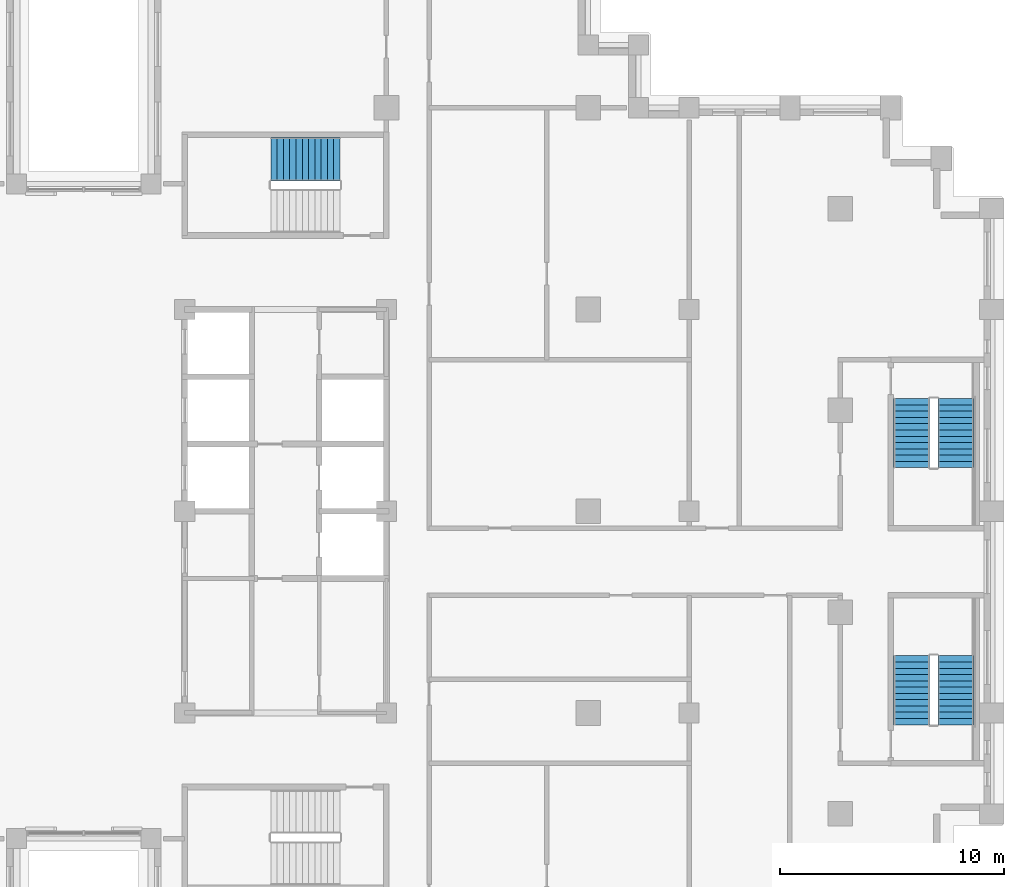
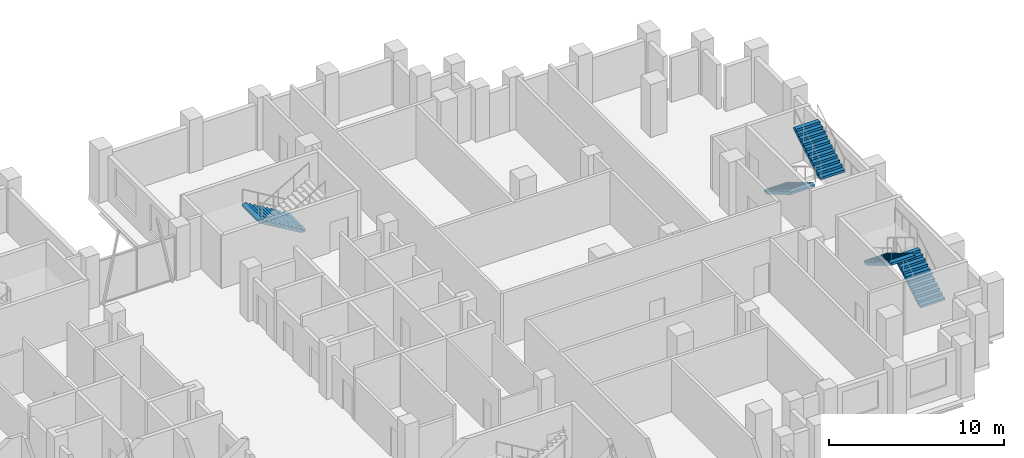
# One storey, part 14 of 16: 5 stair flights, 3 elements without a shape of their own.
"""IFC4 building model written with IfcOpenShell, lengths in metres."""

from ifc_helpers import new_model, si_unit, direction, frame, origin, place, context, subcontext, project, spatial, polyline, outline, extrude, material, type_object, element, aggregate, save


model = new_model("IFC4")

# Units and contexts
model_context = context("Model", 3, precision=1e-05, world=origin(), true_north=direction((0.0, 1.0)))
body_context = subcontext(model_context, "Body", "Model", "MODEL_VIEW")
ifc_project = project(units=[si_unit("LENGTHUNIT", "METRE"), si_unit("AREAUNIT", "SQUARE_METRE"), si_unit("VOLUMEUNIT", "CUBIC_METRE"), si_unit("PLANEANGLEUNIT", "RADIAN"), si_unit("MASSUNIT", "GRAM", prefix="KILO")], contexts=[model_context])

# Site, building, storey
site_placement = place(None, origin())
site = spatial("IfcSite", under=ifc_project, at=site_placement, CompositionType="ELEMENT")
building_placement = place(site_placement, origin())
building = spatial("IfcBuilding", under=site, at=building_placement, Name="Corbelhall Arena Tower", CompositionType="ELEMENT")
storey_placement = place(building_placement, frame((0.0, 0.0, 170.0)))
storey = spatial("IfcBuildingStorey", under=building, at=storey_placement, Name="L34", CompositionType="ELEMENT", Elevation=170.0)

# Stair, stair flight
ifc_material = material(Name="Concrete C40/50", Category="concrete")
stair_type = type_object("IfcStairType", Name="IN-ST-TOWER", PredefinedType="HALF_TURN_STAIR", material=ifc_material)
stair_1_placement = place(storey_placement, origin())
stair_1 = element("IfcStair", 1, at=stair_1_placement, inside=storey, type_object=stair_type, Name="L34 Exit stair ST3", PredefinedType="HALF_TURN_STAIR")
stair_flight_type = type_object("IfcStairFlightType", Name="IN-SFL-RC", PredefinedType="STRAIGHT", material=ifc_material)
stair_flight_1_placement = place(storey_placement, frame((11.425048828125, 15.699951171875, 0.0), z_axis=(0.0, 0.0, 1.0), x_axis=(-1.0, 0.0, 0.0)))
stair_flight_1 = element("IfcStairFlight", 2, at=stair_flight_1_placement, type_object=stair_flight_type, Name="ST3 flight 1", NumberOfRisers=12, NumberOfTreads=11, PredefinedType="STRAIGHT", RiserHeight=0.166666667, TreadLength=0.28, context=body_context, shape_type="SweptSolid", body=[
    extrude(outline(polyline([(0.0, 0.0), (0.0, 0.166748046875), (0.280029296875, 0.166748046875), (0.280029296875, 0.333251953125), (0.56005859375, 0.333251953125), (0.56005859375, 0.5), (0.840087890625, 0.5), (0.840087890625, 0.666748046875), (1.1201171875, 0.666748046875), (1.1201171875, 0.833251953125), (1.39990234375, 0.833251953125), (1.39990234375, 1.0), (1.679931640625, 1.0), (1.679931640625, 1.166748046875), (1.9599609375, 1.166748046875), (1.9599609375, 1.333251953125), (2.239990234375, 1.333251953125), (2.239990234375, 1.5), (2.52001953125, 1.5), (2.52001953125, 1.666748046875), (2.800048828125, 1.666748046875), (2.800048828125, 1.833251953125), (3.080078125, 1.833251953125), (3.080078125, 2.0), (3.080078125, 1.658935546875), (0.29296875, 0.0), (0.0, 0.0)])), frame((0.0, 0.97509765625, 0.0), z_axis=(0.0, -1.0, 0.0), x_axis=(1.0, 0.0, 0.0)), (0.0, 0.0, 1.0), 0.449951171875),
    extrude(outline(polyline([(0.0, 0.0), (0.0, 0.166748046875), (0.280029296875, 0.166748046875), (0.280029296875, 0.333251953125), (0.56005859375, 0.333251953125), (0.56005859375, 0.5), (0.840087890625, 0.5), (0.840087890625, 0.666748046875), (1.1201171875, 0.666748046875), (1.1201171875, 0.833251953125), (1.39990234375, 0.833251953125), (1.39990234375, 1.0), (1.679931640625, 1.0), (1.679931640625, 1.166748046875), (1.9599609375, 1.166748046875), (1.9599609375, 1.333251953125), (2.239990234375, 1.333251953125), (2.239990234375, 1.5), (2.52001953125, 1.5), (2.52001953125, 1.666748046875), (2.800048828125, 1.666748046875), (2.800048828125, 1.833251953125), (3.080078125, 1.833251953125), (3.080078125, 2.0), (3.080078125, 1.658935546875), (0.29296875, 0.0), (0.0, 0.0)])), frame((0.0, 0.52099609375, 0.0), z_axis=(0.0, -1.0, 0.0), x_axis=(1.0, 0.0, 0.0)), (0.0, 0.0, 1.0), 1.0419921875),
    extrude(outline(polyline([(0.0, 0.0), (0.0, 0.166748046875), (0.280029296875, 0.166748046875), (0.280029296875, 0.333251953125), (0.56005859375, 0.333251953125), (0.56005859375, 0.5), (0.840087890625, 0.5), (0.840087890625, 0.666748046875), (1.1201171875, 0.666748046875), (1.1201171875, 0.833251953125), (1.39990234375, 0.833251953125), (1.39990234375, 1.0), (1.679931640625, 1.0), (1.679931640625, 1.166748046875), (1.9599609375, 1.166748046875), (1.9599609375, 1.333251953125), (2.239990234375, 1.333251953125), (2.239990234375, 1.5), (2.52001953125, 1.5), (2.52001953125, 1.666748046875), (2.800048828125, 1.666748046875), (2.800048828125, 1.833251953125), (3.080078125, 1.833251953125), (3.080078125, 2.0), (3.080078125, 1.658935546875), (0.29296875, 0.0), (0.0, 0.0)])), frame((0.0, -0.52490234375, 0.0), z_axis=(0.0, -1.0, 0.0), x_axis=(1.0, 0.0, 0.0)), (0.0, 0.0, 1.0), 0.449951171875),
])
aggregate(stair_1, [stair_flight_1])

# Stair, stair flights
stair_2_placement = place(storey_placement, origin())
stair_2 = element("IfcStair", 3, at=stair_2_placement, inside=storey, type_object=stair_type, Name="L34 Exit stair SD1", PredefinedType="HALF_TURN_STAIR")
stair_flight_2_placement = place(storey_placement, frame((38.89990234375, -9.52490234375, 0.0), z_axis=(0.0, 0.0, 1.0), x_axis=(0.0, 1.0, 0.0)))
stair_flight_2 = element("IfcStairFlight", 4, at=stair_flight_2_placement, type_object=stair_flight_type, Name="SD1 flight 1", NumberOfRisers=12, NumberOfTreads=11, PredefinedType="STRAIGHT", RiserHeight=0.166666667, TreadLength=0.28, context=body_context, shape_type="SweptSolid", body=[
    extrude(outline(polyline([(0.0, 0.0), (0.0, 0.166748046875), (0.280029296875, 0.166748046875), (0.280029296875, 0.333251953125), (0.56005859375, 0.333251953125), (0.56005859375, 0.5), (0.840087890625, 0.5), (0.840087890625, 0.666748046875), (1.1201171875, 0.666748046875), (1.1201171875, 0.833251953125), (1.39990234375, 0.833251953125), (1.39990234375, 1.0), (1.679931640625, 1.0), (1.679931640625, 1.166748046875), (1.9599609375, 1.166748046875), (1.9599609375, 1.333251953125), (2.239990234375, 1.333251953125), (2.239990234375, 1.5), (2.52001953125, 1.5), (2.52001953125, 1.666748046875), (2.800048828125, 1.666748046875), (2.800048828125, 1.833251953125), (3.080078125, 1.833251953125), (3.080078125, 2.0), (3.080078125, 1.658935546875), (0.29296875, 0.0), (0.0, 0.0)])), frame((0.0, 0.800048828125, 0.0), z_axis=(0.0, -1.0, 0.0), x_axis=(1.0, 0.0, 0.0)), (0.0, 0.0, 1.0), 1.60009765625),
])
stair_flight_3_placement = place(storey_placement, frame((36.925048828125, -6.445068359375, 2.0), z_axis=(0.0, 0.0, 1.0), x_axis=(0.0, -1.0, 0.0)))
stair_flight_3 = element("IfcStairFlight", 5, at=stair_flight_3_placement, type_object=stair_flight_type, Name="SD1 flight 2", NumberOfRisers=12, NumberOfTreads=11, PredefinedType="STRAIGHT", RiserHeight=0.166666667, TreadLength=0.28, context=body_context, shape_type="SweptSolid", body=[
    extrude(outline(polyline([(0.0, 0.0), (0.0, 0.166748046875), (0.280029296875, 0.166748046875), (0.280029296875, 0.333251953125), (0.56005859375, 0.333251953125), (0.56005859375, 0.5), (0.840087890625, 0.5), (0.840087890625, 0.666748046875), (1.1201171875, 0.666748046875), (1.1201171875, 0.833251953125), (1.39990234375, 0.833251953125), (1.39990234375, 1.0), (1.679931640625, 1.0), (1.679931640625, 1.166748046875), (1.9599609375, 1.166748046875), (1.9599609375, 1.333251953125), (2.239990234375, 1.333251953125), (2.239990234375, 1.5), (2.52001953125, 1.5), (2.52001953125, 1.666748046875), (2.800048828125, 1.666748046875), (2.800048828125, 1.833251953125), (3.080078125, 1.833251953125), (3.080078125, 2.0), (3.080078125, 1.658935546875), (0.29296875, 0.0), (0.0, 0.0)])), frame((0.0, 0.800048828125, 0.0), z_axis=(0.0, -1.0, 0.0), x_axis=(1.0, 0.0, 0.0)), (0.0, 0.0, 1.0), 1.60009765625),
])
aggregate(stair_2, [stair_flight_2, stair_flight_3])

stair_3_placement = place(storey_placement, origin())
stair_3 = element("IfcStair", 6, at=stair_3_placement, inside=storey, type_object=stair_type, Name="L34 Exit stair SD2", PredefinedType="HALF_TURN_STAIR")
stair_flight_4_placement = place(storey_placement, frame((36.925048828125, 5.02490234375, 0.0), z_axis=(0.0, 0.0, 1.0), x_axis=(0.0, -1.0, 0.0)))
stair_flight_4 = element("IfcStairFlight", 7, at=stair_flight_4_placement, type_object=stair_flight_type, Name="SD2 flight 1", NumberOfRisers=12, NumberOfTreads=11, PredefinedType="STRAIGHT", RiserHeight=0.166666667, TreadLength=0.28, context=body_context, shape_type="SweptSolid", body=[
    extrude(outline(polyline([(0.0, 0.0), (0.0, 0.166748046875), (0.280029296875, 0.166748046875), (0.280029296875, 0.333251953125), (0.56005859375, 0.333251953125), (0.56005859375, 0.5), (0.840087890625, 0.5), (0.840087890625, 0.666748046875), (1.1201171875, 0.666748046875), (1.1201171875, 0.833251953125), (1.39990234375, 0.833251953125), (1.39990234375, 1.0), (1.679931640625, 1.0), (1.679931640625, 1.166748046875), (1.9599609375, 1.166748046875), (1.9599609375, 1.333251953125), (2.239990234375, 1.333251953125), (2.239990234375, 1.5), (2.52001953125, 1.5), (2.52001953125, 1.666748046875), (2.800048828125, 1.666748046875), (2.800048828125, 1.833251953125), (3.080078125, 1.833251953125), (3.080078125, 2.0), (3.080078125, 1.658935546875), (0.29296875, 0.0), (0.0, 0.0)])), frame((0.0, 0.800048828125, 0.0), z_axis=(0.0, -1.0, 0.0), x_axis=(1.0, 0.0, 0.0)), (0.0, 0.0, 1.0), 1.60009765625),
])
stair_flight_5_placement = place(storey_placement, frame((38.89990234375, 1.945068359375, 2.0), z_axis=(0.0, 0.0, 1.0), x_axis=(0.0, 1.0, 0.0)))
stair_flight_5 = element("IfcStairFlight", 8, at=stair_flight_5_placement, type_object=stair_flight_type, Name="SD2 flight 2", NumberOfRisers=12, NumberOfTreads=11, PredefinedType="STRAIGHT", RiserHeight=0.166666667, TreadLength=0.28, context=body_context, shape_type="SweptSolid", body=[
    extrude(outline(polyline([(0.0, 0.0), (0.0, 0.166748046875), (0.280029296875, 0.166748046875), (0.280029296875, 0.333251953125), (0.56005859375, 0.333251953125), (0.56005859375, 0.5), (0.840087890625, 0.5), (0.840087890625, 0.666748046875), (1.1201171875, 0.666748046875), (1.1201171875, 0.833251953125), (1.39990234375, 0.833251953125), (1.39990234375, 1.0), (1.679931640625, 1.0), (1.679931640625, 1.166748046875), (1.9599609375, 1.166748046875), (1.9599609375, 1.333251953125), (2.239990234375, 1.333251953125), (2.239990234375, 1.5), (2.52001953125, 1.5), (2.52001953125, 1.666748046875), (2.800048828125, 1.666748046875), (2.800048828125, 1.833251953125), (3.080078125, 1.833251953125), (3.080078125, 2.0), (3.080078125, 1.658935546875), (0.29296875, 0.0), (0.0, 0.0)])), frame((0.0, 0.800048828125, 0.0), z_axis=(0.0, -1.0, 0.0), x_axis=(1.0, 0.0, 0.0)), (0.0, 0.0, 1.0), 1.60009765625),
])
aggregate(stair_3, [stair_flight_4, stair_flight_5])

save(model, "model.ifc")
